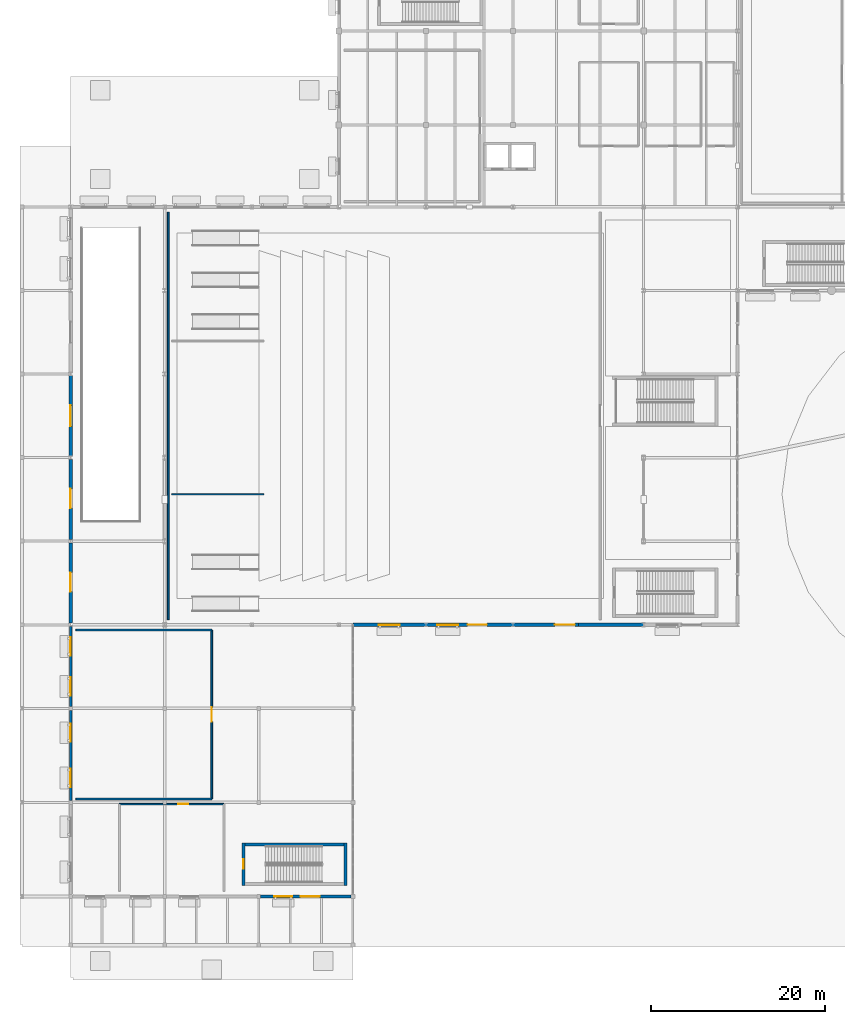
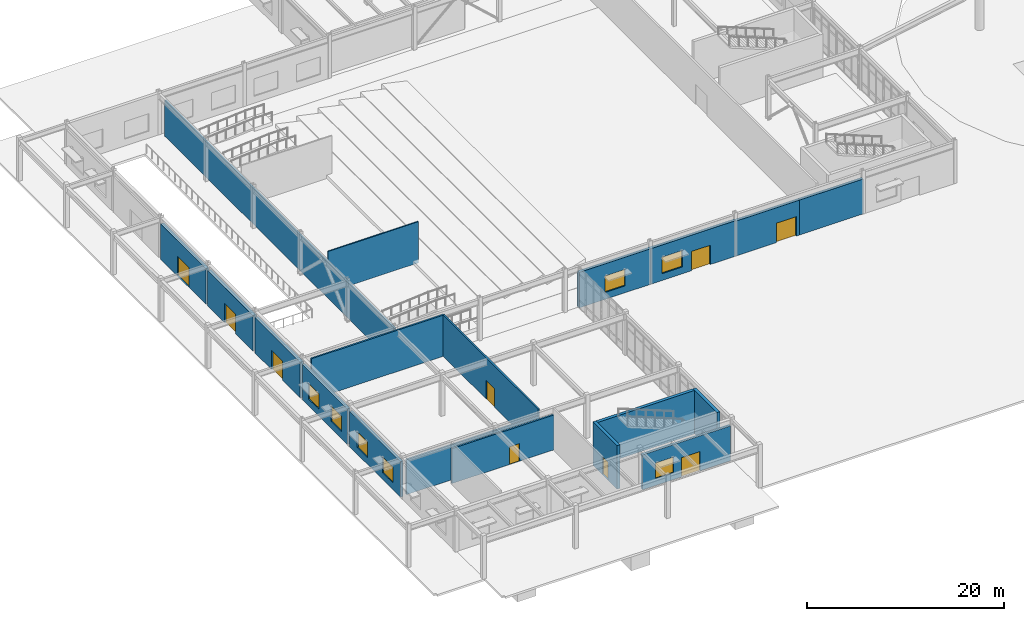
# One storey, part 29 of 54: 19 walls, 9 doors, 7 windows, 16 openings.
"""IFC4 building model written with IfcOpenShell, lengths in metres."""

from ifc_helpers import new_model, si_unit, direction, frame, frame_2d, origin, place, context, subcontext, project, spatial, rectangle, extrude, material, layer, layer_set, type_object, element, fill, save


model = new_model("IFC4")

# Units and contexts
model_context = context("Model", 3, precision=1e-05, world=origin(), true_north=direction((0.0, 1.0)))
body_context = subcontext(model_context, "Body", "Model", "MODEL_VIEW")
ifc_project = project(units=[si_unit("LENGTHUNIT", "METRE"), si_unit("AREAUNIT", "SQUARE_METRE"), si_unit("VOLUMEUNIT", "CUBIC_METRE"), si_unit("PLANEANGLEUNIT", "RADIAN"), si_unit("MASSUNIT", "GRAM", prefix="KILO")], contexts=[model_context])

# Site, building, storey
site_placement = place(None, origin())
site = spatial("IfcSite", under=ifc_project, at=site_placement, CompositionType="ELEMENT")
building_placement = place(site_placement, origin())
building = spatial("IfcBuilding", under=site, at=building_placement, Name="Veldera Park Congress Hotel", CompositionType="ELEMENT")
storey_placement = place(building_placement, origin())
storey = spatial("IfcBuildingStorey", under=building, at=storey_placement, Name="L00", CompositionType="ELEMENT", Elevation=0.0)

# Wall, openings, windows
ifc_material_1 = material(Name="Cross-laminated timber CLT V2M1.1", Category="wood")
ifc_layer_1 = layer(ifc_material_1, 0.320068359375)
ifc_layer_set_1 = layer_set([ifc_layer_1], Name="Cross-laminated timber CLT V2M1.1")
wall_type_1 = type_object("IfcWallType", Name="EW-CLT320", PredefinedType="STANDARD", material=ifc_layer_set_1)
wall_1_placement = place(storey_placement, frame((-78.199951171875, -21.1884765625, 0.0), z_axis=(0.0, 0.0, 1.0), x_axis=(0.0, -1.0, 0.0)))
wall_1 = element("IfcWall", 1, at=wall_1_placement, inside=storey, type_object=wall_type_1, Name="L00 Exterior Wall EW3-L00-0038", PredefinedType="STANDARD", context=body_context, shape_type="SweptSolid", body=[
    extrude(rectangle(XDim=9.1884765625, YDim=0.320068359375, at=frame_2d((4.59423828125, 0.0))), origin(), (0.0, 0.0, 1.0), 4.4189453125),
])
opening_1_placement = place(wall_1_placement, frame((1.2470703125, 0.0, 0.85009765625)))
opening_1 = element("IfcOpeningElement", 2, at=opening_1_placement, cuts=wall_1, Name="Opening WIN-2100", PredefinedType="OPENING", context=body_context, shape_type="SweptSolid", body=[
    extrude(rectangle(XDim=2.10009765625, YDim=1.949951171875, at=frame_2d((1.050048828125, 0.97509765625))), frame((0.0, 0.172119140625, 0.0), z_axis=(0.0, -1.0, 0.0), x_axis=(1.0, 0.0, 0.0)), (0.0, 0.0, 1.0), 0.343994140625),
])
opening_2_placement = place(wall_1_placement, frame((5.84130859375, 0.0, 0.85009765625)))
opening_2 = element("IfcOpeningElement", 3, at=opening_2_placement, cuts=wall_1, Name="Opening WIN-2100", PredefinedType="OPENING", context=body_context, shape_type="SweptSolid", body=[
    extrude(rectangle(XDim=2.10009765625, YDim=1.949951171875, at=frame_2d((1.050048828125, 0.97509765625))), frame((0.0, 0.172119140625, 0.0), z_axis=(0.0, -1.0, 0.0), x_axis=(1.0, 0.0, 0.0)), (0.0, 0.0, 1.0), 0.343994140625),
])
ifc_material_2 = material(Name="Low-E Triple Insulating Glass Unit (SHGC 0.22)", Category="glass")
window_type_1 = type_object("IfcWindowType", Name="WIN-2100", PartitioningType="DOUBLE_PANEL_VERTICAL", PredefinedType="WINDOW", material=ifc_material_2)
window_1_placement = place(opening_1_placement, origin())
window_1 = element("IfcWindow", 4, at=window_1_placement, inside=storey, type_object=window_type_1, Name="L00 Window WIN-2100 37", OverallHeight=1.949951171875, OverallWidth=2.10009765625, PartitioningType="DOUBLE_PANEL_VERTICAL", PredefinedType="WINDOW", context=body_context, shape_type="SweptSolid", body=[
    extrude(rectangle(XDim=2.10009765625, YDim=1.949951171875, at=frame_2d((1.050048828125, 0.97509765625))), frame((0.0, 0.030029296875, 0.0), z_axis=(0.0, -1.0, 0.0), x_axis=(1.0, 0.0, 0.0)), (0.0, 0.0, 1.0), 0.06005859375),
])
fill(opening_1, window_1)
window_2_placement = place(opening_2_placement, origin())
window_2 = element("IfcWindow", 5, at=window_2_placement, inside=storey, type_object=window_type_1, Name="L00 Window WIN-2100 38", OverallHeight=1.949951171875, OverallWidth=2.10009765625, PartitioningType="DOUBLE_PANEL_VERTICAL", PredefinedType="WINDOW", context=body_context, shape_type="SweptSolid", body=[
    extrude(rectangle(XDim=2.10009765625, YDim=1.949951171875, at=frame_2d((1.050048828125, 0.97509765625))), frame((0.0, 0.030029296875, 0.0), z_axis=(0.0, -1.0, 0.0), x_axis=(1.0, 0.0, 0.0)), (0.0, 0.0, 1.0), 0.06005859375),
])
fill(opening_2, window_2)

wall_2_placement = place(storey_placement, frame((-78.199951171875, -30.822998046875, 0.0), z_axis=(0.0, 0.0, 1.0), x_axis=(0.0, -1.0, 0.0)))
wall_2 = element("IfcWall", 6, at=wall_2_placement, inside=storey, type_object=wall_type_1, Name="L00 Exterior Wall EW3-L00-0039", PredefinedType="STANDARD", context=body_context, shape_type="SweptSolid", body=[
    extrude(rectangle(XDim=10.35400390625, YDim=0.320068359375, at=frame_2d((5.177001953125, 0.0))), origin(), (0.0, 0.0, 1.0), 4.4189453125),
])
opening_3_placement = place(wall_2_placement, frame((1.53857421875, 0.0, 0.85009765625)))
opening_3 = element("IfcOpeningElement", 7, at=opening_3_placement, cuts=wall_2, Name="Opening WIN-2100", PredefinedType="OPENING", context=body_context, shape_type="SweptSolid", body=[
    extrude(rectangle(XDim=2.10009765625, YDim=1.949951171875, at=frame_2d((1.050048828125, 0.97509765625))), frame((0.0, 0.172119140625, 0.0), z_axis=(0.0, -1.0, 0.0), x_axis=(1.0, 0.0, 0.0)), (0.0, 0.0, 1.0), 0.343994140625),
])
opening_4_placement = place(wall_2_placement, frame((6.715576171875, 0.0, 0.85009765625)))
opening_4 = element("IfcOpeningElement", 8, at=opening_4_placement, cuts=wall_2, Name="Opening WIN-2100", PredefinedType="OPENING", context=body_context, shape_type="SweptSolid", body=[
    extrude(rectangle(XDim=2.10009765625, YDim=1.949951171875, at=frame_2d((1.050048828125, 0.97509765625))), frame((0.0, 0.172119140625, 0.0), z_axis=(0.0, -1.0, 0.0), x_axis=(1.0, 0.0, 0.0)), (0.0, 0.0, 1.0), 0.343994140625),
])
window_3_placement = place(opening_3_placement, origin())
window_3 = element("IfcWindow", 9, at=window_3_placement, inside=storey, type_object=window_type_1, Name="L00 Window WIN-2100 39", OverallHeight=1.949951171875, OverallWidth=2.10009765625, PartitioningType="DOUBLE_PANEL_VERTICAL", PredefinedType="WINDOW", context=body_context, shape_type="SweptSolid", body=[
    extrude(rectangle(XDim=2.10009765625, YDim=1.949951171875, at=frame_2d((1.050048828125, 0.97509765625))), frame((0.0, 0.030029296875, 0.0), z_axis=(0.0, -1.0, 0.0), x_axis=(1.0, 0.0, 0.0)), (0.0, 0.0, 1.0), 0.06005859375),
])
fill(opening_3, window_3)
window_4_placement = place(opening_4_placement, origin())
window_4 = element("IfcWindow", 10, at=window_4_placement, inside=storey, type_object=window_type_1, Name="L00 Window WIN-2100 40", OverallHeight=1.949951171875, OverallWidth=2.10009765625, PartitioningType="DOUBLE_PANEL_VERTICAL", PredefinedType="WINDOW", context=body_context, shape_type="SweptSolid", body=[
    extrude(rectangle(XDim=2.10009765625, YDim=1.949951171875, at=frame_2d((1.050048828125, 0.97509765625))), frame((0.0, 0.030029296875, 0.0), z_axis=(0.0, -1.0, 0.0), x_axis=(1.0, 0.0, 0.0)), (0.0, 0.0, 1.0), 0.06005859375),
])
fill(opening_4, window_4)

# Wall, openings, door, window
wall_3_placement = place(storey_placement, frame((-56.376953125, -52.199951171875, 0.0), z_axis=(0.0, 0.0, 1.0), x_axis=(1.0, 0.0, 0.0)))
wall_3 = element("IfcWall", 11, at=wall_3_placement, inside=storey, type_object=wall_type_1, Name="L00 Exterior Wall EW3-L00-0043", PredefinedType="STANDARD", context=body_context, shape_type="SweptSolid", body=[
    extrude(rectangle(XDim=10.35400390625, YDim=0.320068359375, at=frame_2d((5.177001953125, 0.0))), origin(), (0.0, 0.0, 1.0), 4.3359375),
])
opening_5_placement = place(wall_3_placement, frame((4.576904296875, 0.0, 0.0)))
opening_5 = element("IfcOpeningElement", 12, at=opening_5_placement, cuts=wall_3, Name="Opening ED-EXIT220", PredefinedType="OPENING", context=body_context, shape_type="SweptSolid", body=[
    extrude(rectangle(XDim=2.199951171875, YDim=2.39990234375, at=frame_2d((1.10009765625, 1.199951171875))), frame((0.0, 0.172119140625, 0.0), z_axis=(0.0, -1.0, 0.0), x_axis=(1.0, 0.0, 0.0)), (0.0, 0.0, 1.0), 0.343994140625),
])
opening_6_placement = place(wall_3_placement, frame((1.53857421875, 0.0, 0.85009765625)))
opening_6 = element("IfcOpeningElement", 13, at=opening_6_placement, cuts=wall_3, Name="Opening WIN-2100", PredefinedType="OPENING", context=body_context, shape_type="SweptSolid", body=[
    extrude(rectangle(XDim=2.10009765625, YDim=1.949951171875, at=frame_2d((1.050048828125, 0.97509765625))), frame((0.0, 0.172119140625, 0.0), z_axis=(0.0, -1.0, 0.0), x_axis=(1.0, 0.0, 0.0)), (0.0, 0.0, 1.0), 0.343994140625),
])
ifc_material_3 = material(Name="Anodised Aluminium Alloy 6063-T6", Category="aluminium")
door_type_1 = type_object("IfcDoorType", Name="ED-EXIT220", OperationType="DOUBLE_DOOR_SINGLE_SWING", PredefinedType="DOOR", material=ifc_material_3)
door_1_placement = place(opening_5_placement, frame((2.199951171875, 0.0, 0.0), z_axis=(0.0, 0.0, 1.0), x_axis=(-1.0, 0.0, 0.0)))
door_1 = element("IfcDoor", 14, at=door_1_placement, inside=storey, type_object=door_type_1, Name="Exterior Door ED-15 (DR3-EXT-L00-0015)", OperationType="DOUBLE_DOOR_SINGLE_SWING", OverallHeight=2.39990234375, OverallWidth=2.199951171875, PredefinedType="DOOR", context=body_context, shape_type="SweptSolid", body=[
    extrude(rectangle(XDim=2.199951171875, YDim=2.39990234375, at=frame_2d((1.10009765625, 1.199951171875))), frame((0.0, 0.02490234375, 0.0), z_axis=(0.0, -1.0, 0.0), x_axis=(1.0, 0.0, 0.0)), (0.0, 0.0, 1.0), 0.050048828125),
])
fill(opening_5, door_1)
window_5_placement = place(opening_6_placement, origin())
window_5 = element("IfcWindow", 15, at=window_5_placement, inside=storey, type_object=window_type_1, Name="L00 Window WIN-2100 46", OverallHeight=1.949951171875, OverallWidth=2.10009765625, PartitioningType="DOUBLE_PANEL_VERTICAL", PredefinedType="WINDOW", context=body_context, shape_type="SweptSolid", body=[
    extrude(rectangle(XDim=2.10009765625, YDim=1.949951171875, at=frame_2d((1.050048828125, 0.97509765625))), frame((0.0, 0.030029296875, 0.0), z_axis=(0.0, -1.0, 0.0), x_axis=(1.0, 0.0, 0.0)), (0.0, 0.0, 1.0), 0.06005859375),
])
fill(opening_6, window_5)

# Wall, opening, window
ifc_material_4 = material(Name="Architectural Sandstone Cladding (ASTM C616)", Category="masonry")
ifc_layer_2 = layer(ifc_material_4, 0.360107421875)
ifc_layer_set_2 = layer_set([ifc_layer_2], Name="Architectural Sandstone Cladding (ASTM C616)")
wall_type_2 = type_object("IfcWallType", Name="EW-STONE360", PredefinedType="STANDARD", material=ifc_layer_set_2)
wall_4_placement = place(storey_placement, frame((-45.800048828125, -21.0, 0.0), z_axis=(0.0, 0.0, 1.0), x_axis=(1.0, 0.0, 0.0)))
wall_4 = element("IfcWall", 16, at=wall_4_placement, inside=storey, type_object=wall_type_2, Name="L00 Exterior Wall EW3-L00-0006", PredefinedType="STANDARD", context=body_context, shape_type="SweptSolid", body=[
    extrude(rectangle(XDim=8.390869140625, YDim=0.360107421875, at=frame_2d((4.1953125, 0.0))), origin(), (0.0, 0.0, 1.0), 4.4140625),
])
opening_7_placement = place(wall_4_placement, frame((2.995361328125, 0.0, 0.85009765625)))
opening_7 = element("IfcOpeningElement", 17, at=opening_7_placement, cuts=wall_4, Name="Opening WIN-2400", PredefinedType="OPENING", context=body_context, shape_type="SweptSolid", body=[
    extrude(rectangle(XDim=2.39990234375, YDim=2.050048828125, at=frame_2d((1.199951171875, 1.02490234375))), frame((0.0, 0.192138671875, 0.0), z_axis=(0.0, -1.0, 0.0), x_axis=(1.0, 0.0, 0.0)), (0.0, 0.0, 1.0), 0.384033203125),
])
window_type_2 = type_object("IfcWindowType", Name="WIN-2400", PartitioningType="DOUBLE_PANEL_VERTICAL", PredefinedType="WINDOW", material=ifc_material_2)
window_6_placement = place(opening_7_placement, origin())
window_6 = element("IfcWindow", 18, at=window_6_placement, inside=storey, type_object=window_type_2, Name="L00 Window WIN-2400 3", OverallHeight=2.050048828125, OverallWidth=2.39990234375, PartitioningType="DOUBLE_PANEL_VERTICAL", PredefinedType="WINDOW", context=body_context, shape_type="SweptSolid", body=[
    extrude(rectangle(XDim=2.39990234375, YDim=2.050048828125, at=frame_2d((1.199951171875, 1.02490234375))), frame((0.0, 0.030029296875, 0.0), z_axis=(0.0, -1.0, 0.0), x_axis=(1.0, 0.0, 0.0)), (0.0, 0.0, 1.0), 0.06005859375),
])
fill(opening_7, window_6)

# Wall, openings, door, window
wall_5_placement = place(storey_placement, frame((-37.390625, -21.0, 0.0), z_axis=(0.0, 0.0, 1.0), x_axis=(1.0, 0.0, 0.0)))
wall_5 = element("IfcWall", 19, at=wall_5_placement, inside=storey, type_object=wall_type_2, Name="L00 Exterior Wall EW3-L00-0007", PredefinedType="STANDARD", context=body_context, shape_type="SweptSolid", body=[
    extrude(rectangle(XDim=9.9814453125, YDim=0.360107421875, at=frame_2d((4.99072265625, 0.0))), origin(), (0.0, 0.0, 1.0), 4.4140625),
])
opening_8_placement = place(wall_5_placement, frame((4.790771484375, 0.0, 0.0)))
opening_8 = element("IfcOpeningElement", 20, at=opening_8_placement, cuts=wall_5, Name="Opening ED-EXIT220", PredefinedType="OPENING", context=body_context, shape_type="SweptSolid", body=[
    extrude(rectangle(XDim=2.199951171875, YDim=2.39990234375, at=frame_2d((1.10009765625, 1.199951171875))), frame((0.0, 0.192138671875, 0.0), z_axis=(0.0, -1.0, 0.0), x_axis=(1.0, 0.0, 0.0)), (0.0, 0.0, 1.0), 0.384033203125),
])
opening_9_placement = place(wall_5_placement, frame((1.29541015625, 0.0, 0.85009765625)))
opening_9 = element("IfcOpeningElement", 21, at=opening_9_placement, cuts=wall_5, Name="Opening WIN-2400", PredefinedType="OPENING", context=body_context, shape_type="SweptSolid", body=[
    extrude(rectangle(XDim=2.39990234375, YDim=2.050048828125, at=frame_2d((1.199951171875, 1.02490234375))), frame((0.0, 0.192138671875, 0.0), z_axis=(0.0, -1.0, 0.0), x_axis=(1.0, 0.0, 0.0)), (0.0, 0.0, 1.0), 0.384033203125),
])
door_2_placement = place(opening_8_placement, frame((2.199951171875, 0.0, 0.0), z_axis=(0.0, 0.0, 1.0), x_axis=(-1.0, 0.0, 0.0)))
door_2 = element("IfcDoor", 22, at=door_2_placement, inside=storey, type_object=door_type_1, Name="Exterior Door ED-04 (DR3-EXT-L00-0005)", OperationType="DOUBLE_DOOR_SINGLE_SWING", OverallHeight=2.39990234375, OverallWidth=2.199951171875, PredefinedType="DOOR", context=body_context, shape_type="SweptSolid", body=[
    extrude(rectangle(XDim=2.199951171875, YDim=2.39990234375, at=frame_2d((1.10009765625, 1.199951171875))), frame((0.0, 0.02490234375, 0.0), z_axis=(0.0, -1.0, 0.0), x_axis=(1.0, 0.0, 0.0)), (0.0, 0.0, 1.0), 0.050048828125),
])
fill(opening_8, door_2)
window_7_placement = place(opening_9_placement, origin())
window_7 = element("IfcWindow", 23, at=window_7_placement, inside=storey, type_object=window_type_2, Name="L00 Window WIN-2400 4", OverallHeight=2.050048828125, OverallWidth=2.39990234375, PartitioningType="DOUBLE_PANEL_VERTICAL", PredefinedType="WINDOW", context=body_context, shape_type="SweptSolid", body=[
    extrude(rectangle(XDim=2.39990234375, YDim=2.050048828125, at=frame_2d((1.199951171875, 1.02490234375))), frame((0.0, 0.030029296875, 0.0), z_axis=(0.0, -1.0, 0.0), x_axis=(1.0, 0.0, 0.0)), (0.0, 0.0, 1.0), 0.06005859375),
])
fill(opening_9, window_7)

# Wall, opening, door
wall_6_placement = place(storey_placement, frame((-27.390625, -21.0, 0.0), z_axis=(0.0, 0.0, 1.0), x_axis=(1.0, 0.0, 0.0)))
wall_6 = element("IfcWall", 24, at=wall_6_placement, inside=storey, type_object=wall_type_2, Name="L00 Exterior Wall EW3-L00-0008", PredefinedType="STANDARD", context=body_context, shape_type="SweptSolid", body=[
    extrude(rectangle(XDim=7.49072265625, YDim=0.360107421875, at=frame_2d((3.745361328125, 0.0))), origin(), (0.0, 0.0, 1.0), 4.3359375),
])
opening_10_placement = place(wall_6_placement, frame((4.790771484375, 0.0, 0.0)))
opening_10 = element("IfcOpeningElement", 25, at=opening_10_placement, cuts=wall_6, Name="Opening ED-EXIT230", PredefinedType="OPENING", context=body_context, shape_type="SweptSolid", body=[
    extrude(rectangle(XDim=2.300048828125, YDim=2.419921875, at=frame_2d((1.14990234375, 1.2099609375))), frame((0.0, 0.192138671875, 0.0), z_axis=(0.0, -1.0, 0.0), x_axis=(1.0, 0.0, 0.0)), (0.0, 0.0, 1.0), 0.384033203125),
])
door_type_2 = type_object("IfcDoorType", Name="ED-EXIT230", OperationType="DOUBLE_DOOR_SINGLE_SWING", PredefinedType="DOOR", material=ifc_material_3)
door_3_placement = place(opening_10_placement, frame((2.300048828125, 0.0, 0.0), z_axis=(0.0, 0.0, 1.0), x_axis=(-1.0, 0.0, 0.0)))
door_3 = element("IfcDoor", 26, at=door_3_placement, inside=storey, type_object=door_type_2, Name="Exterior Door ED-05 (DR3-EXT-L00-0006)", OperationType="DOUBLE_DOOR_SINGLE_SWING", OverallHeight=2.419921875, OverallWidth=2.300048828125, PredefinedType="DOOR", context=body_context, shape_type="SweptSolid", body=[
    extrude(rectangle(XDim=2.300048828125, YDim=2.419921875, at=frame_2d((1.14990234375, 1.2099609375))), frame((0.0, 0.02490234375, 0.0), z_axis=(0.0, -1.0, 0.0), x_axis=(1.0, 0.0, 0.0)), (0.0, 0.0, 1.0), 0.050048828125),
])
fill(opening_10, door_3)

# Wall
wall_7_placement = place(storey_placement, frame((-19.90380859375, -21.0, 0.0), z_axis=(0.0, 0.0, 1.0), x_axis=(1.0, 0.0, 0.0)))
element("IfcWall", 27, at=wall_7_placement, inside=storey, type_object=wall_type_2, Name="L00 Exterior Wall EW3-L00-0009", PredefinedType="STANDARD", context=body_context, shape_type="SweptSolid", body=[
    extrude(rectangle(XDim=7.490966796875, YDim=0.360107421875, at=frame_2d((3.74560546875, 0.0))), origin(), (0.0, 0.0, 1.0), 4.3359375),
])

# Wall, opening, door
ifc_layer_3 = layer(ifc_material_4, 0.3798828125)
ifc_layer_set_3 = layer_set([ifc_layer_3], Name="Architectural Sandstone Cladding (ASTM C616)")
wall_type_3 = type_object("IfcWallType", Name="EW-STONE380", PredefinedType="STANDARD", material=ifc_layer_set_3)
wall_8_placement = place(storey_placement, frame((-78.199951171875, 7.611572265625, 0.0), z_axis=(0.0, 0.0, 1.0), x_axis=(0.0, -1.0, 0.0)))
wall_8 = element("IfcWall", 28, at=wall_8_placement, inside=storey, type_object=wall_type_3, Name="L00 Exterior Wall EW3-L00-0003", PredefinedType="STANDARD", context=body_context, shape_type="SweptSolid", body=[
    extrude(rectangle(XDim=9.22314453125, YDim=0.3798828125, at=frame_2d((4.611572265625, 0.0))), origin(), (0.0, 0.0, 1.0), 4.4189453125),
])
opening_11_placement = place(wall_8_placement, frame((3.41162109375, 0.0, 0.0)))
opening_11 = element("IfcOpeningElement", 29, at=opening_11_placement, cuts=wall_8, Name="Opening ED-EXIT240", PredefinedType="OPENING", context=body_context, shape_type="SweptSolid", body=[
    extrude(rectangle(XDim=2.39990234375, YDim=2.449951171875, at=frame_2d((1.199951171875, 1.22509765625))), frame((0.0, 0.201904296875, 0.0), z_axis=(0.0, -1.0, 0.0), x_axis=(1.0, 0.0, 0.0)), (0.0, 0.0, 1.0), 0.40380859375),
])
door_type_3 = type_object("IfcDoorType", Name="ED-EXIT240", OperationType="DOUBLE_DOOR_SINGLE_SWING", PredefinedType="DOOR", material=ifc_material_3)
door_4_placement = place(opening_11_placement, frame((2.39990234375, 0.0, 0.0), z_axis=(0.0, 0.0, 1.0), x_axis=(-1.0, 0.0, 0.0)))
door_4 = element("IfcDoor", 30, at=door_4_placement, inside=storey, type_object=door_type_3, Name="Exterior Door ED-02 (DR3-EXT-L00-0002)", OperationType="DOUBLE_DOOR_SINGLE_SWING", OverallHeight=2.449951171875, OverallWidth=2.39990234375, PredefinedType="DOOR", context=body_context, shape_type="SweptSolid", body=[
    extrude(rectangle(XDim=2.39990234375, YDim=2.449951171875, at=frame_2d((1.199951171875, 1.22509765625))), frame((0.0, 0.02490234375, 0.0), z_axis=(0.0, -1.0, 0.0), x_axis=(1.0, 0.0, 0.0)), (0.0, 0.0, 1.0), 0.050048828125),
])
fill(opening_11, door_4)

wall_9_placement = place(storey_placement, frame((-78.199951171875, -1.988525390625, 0.0), z_axis=(0.0, 0.0, 1.0), x_axis=(0.0, -1.0, 0.0)))
wall_9 = element("IfcWall", 31, at=wall_9_placement, inside=storey, type_object=wall_type_3, Name="L00 Exterior Wall EW3-L00-0004", PredefinedType="STANDARD", context=body_context, shape_type="SweptSolid", body=[
    extrude(rectangle(XDim=9.222900390625, YDim=0.3798828125, at=frame_2d((4.611328125, 0.0))), origin(), (0.0, 0.0, 1.0), 4.4189453125),
])
opening_12_placement = place(wall_9_placement, frame((3.41162109375, 0.0, 0.0)))
opening_12 = element("IfcOpeningElement", 32, at=opening_12_placement, cuts=wall_9, Name="Opening ED-EXIT220", PredefinedType="OPENING", context=body_context, shape_type="SweptSolid", body=[
    extrude(rectangle(XDim=2.199951171875, YDim=2.39990234375, at=frame_2d((1.10009765625, 1.199951171875))), frame((0.0, 0.201904296875, 0.0), z_axis=(0.0, -1.0, 0.0), x_axis=(1.0, 0.0, 0.0)), (0.0, 0.0, 1.0), 0.40380859375),
])
door_5_placement = place(opening_12_placement, frame((2.199951171875, 0.0, 0.0), z_axis=(0.0, 0.0, 1.0), x_axis=(-1.0, 0.0, 0.0)))
door_5 = element("IfcDoor", 33, at=door_5_placement, inside=storey, type_object=door_type_1, Name="Exterior Door ED-03 (DR3-EXT-L00-0003)", OperationType="DOUBLE_DOOR_SINGLE_SWING", OverallHeight=2.39990234375, OverallWidth=2.199951171875, PredefinedType="DOOR", context=body_context, shape_type="SweptSolid", body=[
    extrude(rectangle(XDim=2.199951171875, YDim=2.39990234375, at=frame_2d((1.10009765625, 1.199951171875))), frame((0.0, 0.02490234375, 0.0), z_axis=(0.0, -1.0, 0.0), x_axis=(1.0, 0.0, 0.0)), (0.0, 0.0, 1.0), 0.050048828125),
])
fill(opening_12, door_5)

wall_10_placement = place(storey_placement, frame((-78.199951171875, -11.58837890625, 0.0), z_axis=(0.0, 0.0, 1.0), x_axis=(0.0, -1.0, 0.0)))
wall_10 = element("IfcWall", 34, at=wall_10_placement, inside=storey, type_object=wall_type_3, Name="L00 Exterior Wall EW3-L00-0005", PredefinedType="STANDARD", context=body_context, shape_type="SweptSolid", body=[
    extrude(rectangle(XDim=9.22314453125, YDim=0.3798828125, at=frame_2d((4.611572265625, 0.0))), origin(), (0.0, 0.0, 1.0), 4.4189453125),
])
opening_13_placement = place(wall_10_placement, frame((3.41162109375, 0.0, 0.0)))
opening_13 = element("IfcOpeningElement", 35, at=opening_13_placement, cuts=wall_10, Name="Opening ED-EXIT220", PredefinedType="OPENING", context=body_context, shape_type="SweptSolid", body=[
    extrude(rectangle(XDim=2.199951171875, YDim=2.39990234375, at=frame_2d((1.10009765625, 1.199951171875))), frame((0.0, 0.201904296875, 0.0), z_axis=(0.0, -1.0, 0.0), x_axis=(1.0, 0.0, 0.0)), (0.0, 0.0, 1.0), 0.40380859375),
])
door_6_placement = place(opening_13_placement, frame((2.199951171875, 0.0, 0.0), z_axis=(0.0, 0.0, 1.0), x_axis=(-1.0, 0.0, 0.0)))
door_6 = element("IfcDoor", 36, at=door_6_placement, inside=storey, type_object=door_type_1, Name="Exterior Door ED-03B (DR3-EXT-L00-0004)", OperationType="DOUBLE_DOOR_SINGLE_SWING", OverallHeight=2.39990234375, OverallWidth=2.199951171875, PredefinedType="DOOR", context=body_context, shape_type="SweptSolid", body=[
    extrude(rectangle(XDim=2.199951171875, YDim=2.39990234375, at=frame_2d((1.10009765625, 1.199951171875))), frame((0.0, 0.02490234375, 0.0), z_axis=(0.0, -1.0, 0.0), x_axis=(1.0, 0.0, 0.0)), (0.0, 0.0, 1.0), 0.050048828125),
])
fill(opening_13, door_6)

# Wall
ifc_material_5 = material(Name="Fire-Rated Gypsum Board on Cold-Formed Steel Studs", Category="steel")
ifc_layer_4 = layer(ifc_material_5, 0.195068359375)
ifc_layer_set_4 = layer_set([ifc_layer_4], Name="Fire-Rated Gypsum Board on Cold-Formed Steel Studs")
wall_type_4 = type_object("IfcWallType", Name="IW-CORR195", PredefinedType="PARTITIONING", material=ifc_layer_set_4)
wall_11_placement = place(storey_placement, frame((-77.60009765625, -41.0, 0.0), z_axis=(0.0, 0.0, 1.0), x_axis=(1.0, 0.0, 0.0)))
element("IfcWall", 37, at=wall_11_placement, inside=storey, type_object=wall_type_4, Name="L00 Partition Wall IW3-L00-00074", PredefinedType="PARTITIONING", context=body_context, shape_type="SweptSolid", body=[
    extrude(rectangle(XDim=15.60009765625, YDim=0.195068359375, at=frame_2d((7.800048828125, 0.0))), origin(), (0.0, 0.0, 1.0), 4.3359375),
])

# Wall, opening, door
wall_12_placement = place(storey_placement, frame((-62.0, -41.0, 0.0), z_axis=(0.0, 0.0, 1.0), x_axis=(0.0, 1.0, 0.0)))
wall_12 = element("IfcWall", 38, at=wall_12_placement, inside=storey, type_object=wall_type_4, Name="L00 Partition Wall IW3-L00-00075", PredefinedType="PARTITIONING", context=body_context, shape_type="SweptSolid", body=[
    extrude(rectangle(XDim=19.39990234375, YDim=0.195068359375, at=frame_2d((9.699951171875, 0.0))), origin(), (0.0, 0.0, 1.0), 5.1201171875),
])
opening_14_placement = place(wall_12_placement, frame((8.85009765625, 0.0, 0.0)))
opening_14 = element("IfcOpeningElement", 39, at=opening_14_placement, cuts=wall_12, Name="Opening ID-HALL170", PredefinedType="OPENING", context=body_context, shape_type="SweptSolid", body=[
    extrude(rectangle(XDim=1.699951171875, YDim=2.300048828125, at=frame_2d((0.85009765625, 1.14990234375))), frame((0.0, 0.109619140625, 0.0), z_axis=(0.0, -1.0, 0.0), x_axis=(1.0, 0.0, 0.0)), (0.0, 0.0, 1.0), 0.218994140625),
])
ifc_material_6 = material(Name="Solid Core White Oak Architectural Door", Category="wood")
door_type_4 = type_object("IfcDoorType", Name="ID-HALL170", OperationType="DOUBLE_DOOR_SINGLE_SWING", PredefinedType="DOOR", material=ifc_material_6)
door_7_placement = place(opening_14_placement, origin())
door_7 = element("IfcDoor", 40, at=door_7_placement, inside=storey, type_object=door_type_4, Name="L00 Thermal Mineral Vitality Pool Hall Door ID3-L00-0026 (DR3-ID3-L00-0026)", OperationType="DOUBLE_DOOR_SINGLE_SWING", OverallHeight=2.300048828125, OverallWidth=1.699951171875, PredefinedType="DOOR", context=body_context, shape_type="SweptSolid", body=[
    extrude(rectangle(XDim=1.699951171875, YDim=2.300048828125, at=frame_2d((0.85009765625, 1.14990234375))), frame((0.0, 0.02490234375, 0.0), z_axis=(0.0, -1.0, 0.0), x_axis=(1.0, 0.0, 0.0)), (0.0, 0.0, 1.0), 0.050048828125),
])
fill(opening_14, door_7)

# Wall
wall_13_placement = place(storey_placement, frame((-62.0, -21.60009765625, 0.0), z_axis=(0.0, 0.0, 1.0), x_axis=(-1.0, 0.0, 0.0)))
element("IfcWall", 41, at=wall_13_placement, inside=storey, type_object=wall_type_4, Name="L00 Partition Wall IW3-L00-00076", PredefinedType="PARTITIONING", context=body_context, shape_type="SweptSolid", body=[
    extrude(rectangle(XDim=15.60009765625, YDim=0.195068359375, at=frame_2d((7.800048828125, 0.0))), origin(), (0.0, 0.0, 1.0), 5.1201171875),
])

# Wall, opening, door
wall_14_placement = place(storey_placement, frame((-60.60009765625, -41.60009765625, 0.0), z_axis=(0.0, 0.0, 1.0), x_axis=(-1.0, 0.0, 0.0)))
wall_14 = element("IfcWall", 42, at=wall_14_placement, inside=storey, type_object=wall_type_4, Name="L00 Partition Wall IW3-L00-00078", PredefinedType="PARTITIONING", context=body_context, shape_type="SweptSolid", body=[
    extrude(rectangle(XDim=12.0, YDim=0.195068359375, at=frame_2d((6.0, 0.0))), origin(), (0.0, 0.0, 1.0), 4.3359375),
])
opening_15_placement = place(wall_14_placement, frame((4.0986328125, 0.0, 0.0)))
opening_15 = element("IfcOpeningElement", 43, at=opening_15_placement, cuts=wall_14, Name="Opening ID-MEET115", PredefinedType="OPENING", context=body_context, shape_type="SweptSolid", body=[
    extrude(rectangle(XDim=1.14990234375, YDim=2.199951171875, at=frame_2d((0.574951171875, 1.10009765625))), frame((0.0, 0.109619140625, 0.0), z_axis=(0.0, -1.0, 0.0), x_axis=(1.0, 0.0, 0.0)), (0.0, 0.0, 1.0), 0.218994140625),
])
door_type_5 = type_object("IfcDoorType", Name="ID-MEET115", OperationType="NOTDEFINED", PredefinedType="DOOR", material=ifc_material_6)
door_8_placement = place(opening_15_placement, origin())
door_8 = element("IfcDoor", 44, at=door_8_placement, inside=storey, type_object=door_type_5, Name="L00 Hammam Steam and Cedar Sauna Suite Door ID3-L00-0027 (DR3-ID3-L00-0027)", OperationType="SINGLE_SWING_RIGHT", OverallHeight=2.199951171875, OverallWidth=1.14990234375, PredefinedType="DOOR", context=body_context, shape_type="SweptSolid", body=[
    extrude(rectangle(XDim=1.14990234375, YDim=2.199951171875, at=frame_2d((0.574951171875, 1.10009765625))), frame((0.0, 0.02490234375, 0.0), z_axis=(0.0, -1.0, 0.0), x_axis=(1.0, 0.0, 0.0)), (0.0, 0.0, 1.0), 0.050048828125),
])
fill(opening_15, door_8)

# Walls
ifc_material_7 = material(Name="Concrete f'c 40 MPa (5,800 psi)", Category="concrete")
ifc_layer_5 = layer(ifc_material_7, 0.219970703125)
ifc_layer_set_5 = layer_set([ifc_layer_5], Name="Concrete f'c 40 MPa (5,800 psi)")
wall_type_5 = type_object("IfcWallType", Name="IW-FIRE220", PredefinedType="STANDARD", material=ifc_layer_set_5)
wall_15_placement = place(storey_placement, frame((-67.0, 26.39990234375, 0.0), z_axis=(0.0, 0.0, 1.0), x_axis=(0.0, -1.0, 0.0)))
element("IfcWall", 45, at=wall_15_placement, inside=storey, type_object=wall_type_5, Name="L00 Partition Wall IW3-L00-00048", PredefinedType="STANDARD", context=body_context, shape_type="SweptSolid", body=[
    extrude(rectangle(XDim=46.7998046875, YDim=0.219970703125, at=frame_2d((23.39990234375, 0.0))), origin(), (0.0, 0.0, 1.0), 4.422119140625),
])
ifc_material_8 = material(Name="Micro-Perforated Western Hemlock Acoustic Timber", Category="wood")
ifc_layer_6 = layer(ifc_material_8, 0.139892578125)
ifc_layer_set_6 = layer_set([ifc_layer_6], Name="Micro-Perforated Western Hemlock Acoustic Timber")
wall_type_6 = type_object("IfcWallType", Name="IW-MOV140", PredefinedType="MOVABLE", material=ifc_layer_set_6)
wall_16_placement = place(storey_placement, frame((-66.60009765625, -6.0, 0.0), z_axis=(0.0, 0.0, 1.0), x_axis=(1.0, 0.0, 0.0)))
element("IfcWall", 46, at=wall_16_placement, inside=storey, type_object=wall_type_6, Name="L00 Partition Wall IW3-L00-00361", PredefinedType="MOVABLE", context=body_context, shape_type="SweptSolid", body=[
    extrude(rectangle(XDim=10.60009765625, YDim=0.139892578125, at=frame_2d((5.300048828125, 0.0))), origin(), (0.0, 0.0, 1.0), 5.1201171875),
])
ifc_layer_7 = layer(ifc_material_7, 0.35009765625)
ifc_layer_set_7 = layer_set([ifc_layer_7], Name="Concrete f'c 40 MPa (5,800 psi)")
wall_type_7 = type_object("IfcWallType", Name="SW-CORE350", PredefinedType="SHEAR", material=ifc_layer_set_7)
wall_17_placement = place(storey_placement, frame((-46.625, -50.949951171875, 0.0), z_axis=(0.0, 0.0, 1.0), x_axis=(0.0, 1.0, 0.0)))
element("IfcWall", 47, at=wall_17_placement, inside=storey, type_object=wall_type_7, Name="Stair ST8 Core Wall L00-E", PredefinedType="SHEAR", context=body_context, shape_type="SweptSolid", body=[
    extrude(rectangle(XDim=4.89990234375, YDim=0.35009765625, at=frame_2d((2.449951171875, 0.0))), origin(), (0.0, 0.0, 1.0), 5.39990234375),
])
wall_18_placement = place(storey_placement, frame((-46.449951171875, -46.22509765625, 0.0), z_axis=(0.0, 0.0, 1.0), x_axis=(-1.0, 0.0, 0.0)))
element("IfcWall", 48, at=wall_18_placement, inside=storey, type_object=wall_type_7, Name="Stair ST8 Core Wall L00-N", PredefinedType="SHEAR", context=body_context, shape_type="SweptSolid", body=[
    extrude(rectangle(XDim=12.10009765625, YDim=0.35009765625, at=frame_2d((6.050048828125, 0.0))), origin(), (0.0, 0.0, 1.0), 5.39990234375),
])

# Wall, opening, door
wall_19_placement = place(storey_placement, frame((-58.375, -46.050048828125, 0.0), z_axis=(0.0, 0.0, 1.0), x_axis=(0.0, -1.0, 0.0)))
wall_19 = element("IfcWall", 49, at=wall_19_placement, inside=storey, type_object=wall_type_7, Name="Stair ST8 Core Wall L00-W", PredefinedType="SHEAR", context=body_context, shape_type="SweptSolid", body=[
    extrude(rectangle(XDim=4.89990234375, YDim=0.35009765625, at=frame_2d((2.449951171875, 0.0))), origin(), (0.0, 0.0, 1.0), 5.39990234375),
])
opening_16_placement = place(wall_19_placement, frame((1.89990234375, 0.0, 0.0)))
opening_16 = element("IfcOpeningElement", 50, at=opening_16_placement, cuts=wall_19, Name="Opening ID-STAIR110", PredefinedType="OPENING", context=body_context, shape_type="SweptSolid", body=[
    extrude(rectangle(XDim=1.10009765625, YDim=2.199951171875, at=frame_2d((0.550048828125, 1.10009765625))), frame((0.0, 0.18701171875, 0.0), z_axis=(0.0, -1.0, 0.0), x_axis=(1.0, 0.0, 0.0)), (0.0, 0.0, 1.0), 0.3740234375),
])
ifc_material_9 = material(Name="Hollow Metal Fire-Rated Steel Door", Category="steel")
door_type_6 = type_object("IfcDoorType", Name="ID-STAIR110", OperationType="NOTDEFINED", PredefinedType="DOOR", material=ifc_material_9)
door_9_placement = place(opening_16_placement, origin())
door_9 = element("IfcDoor", 51, at=door_9_placement, inside=storey, type_object=door_type_6, Name="L00 Stair ST8 Fire Door (DR3-SD-ST8-L00)", OperationType="SINGLE_SWING_LEFT", OverallHeight=2.199951171875, OverallWidth=1.10009765625, PredefinedType="DOOR", context=body_context, shape_type="SweptSolid", body=[
    extrude(rectangle(XDim=1.10009765625, YDim=2.199951171875, at=frame_2d((0.550048828125, 1.10009765625))), frame((0.0, 0.02490234375, 0.0), z_axis=(0.0, -1.0, 0.0), x_axis=(1.0, 0.0, 0.0)), (0.0, 0.0, 1.0), 0.050048828125),
])
fill(opening_16, door_9)

save(model, "model.ifc")
